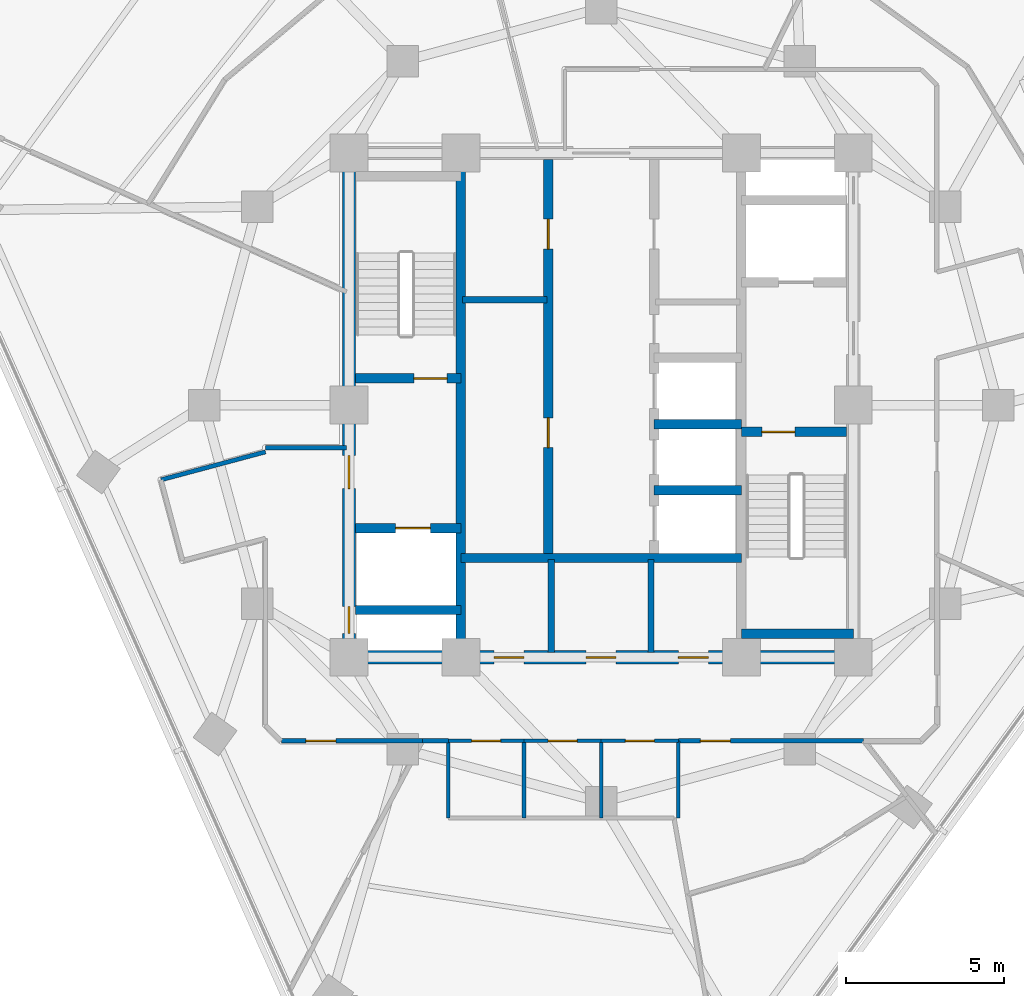
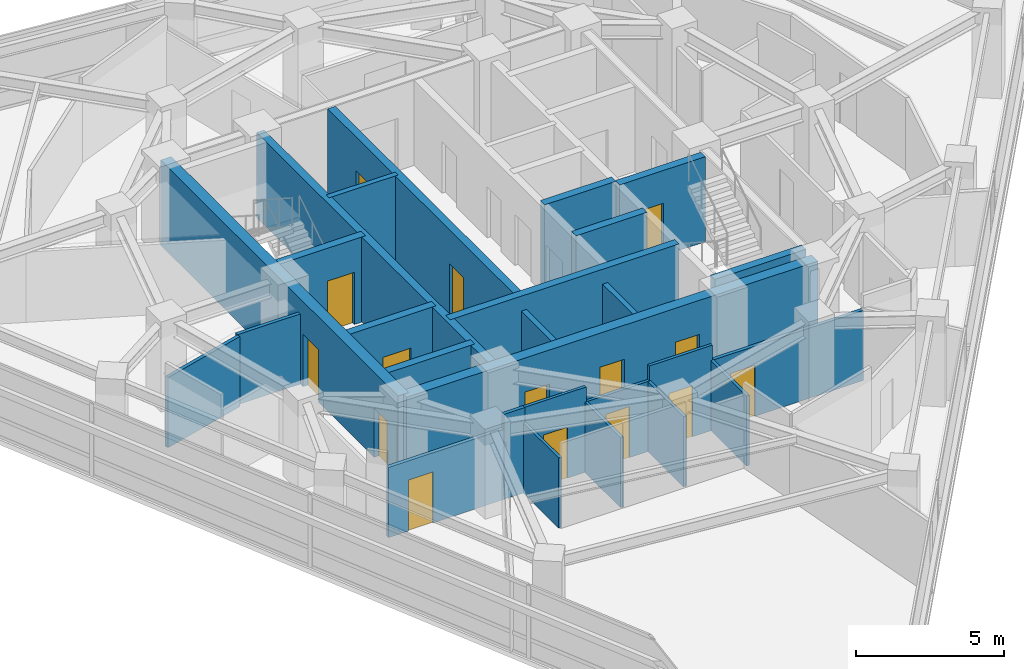
# One storey, part 8 of 15: 27 walls, 15 doors, 15 openings.
"""IFC4 building model written with IfcOpenShell, lengths in metres."""

from ifc_helpers import new_model, si_unit, direction, frame, frame_2d, origin, place, context, subcontext, project, spatial, rectangle, extrude, material, layer, layer_set, type_object, element, fill, save


model = new_model("IFC4")

# Units and contexts
model_context = context("Model", 3, precision=1e-05, world=origin(), true_north=direction((0.0, 1.0)))
body_context = subcontext(model_context, "Body", "Model", "MODEL_VIEW")
ifc_project = project(units=[si_unit("LENGTHUNIT", "METRE"), si_unit("AREAUNIT", "SQUARE_METRE"), si_unit("VOLUMEUNIT", "CUBIC_METRE"), si_unit("PLANEANGLEUNIT", "RADIAN"), si_unit("MASSUNIT", "GRAM", prefix="KILO")], contexts=[model_context])

# Site, building, storey
site_placement = place(None, origin())
site = spatial("IfcSite", under=ifc_project, at=site_placement, CompositionType="ELEMENT")
building_placement = place(site_placement, origin())
building = spatial("IfcBuilding", under=site, at=building_placement, Name="Terralouvre Media Tower", CompositionType="ELEMENT")
storey_placement = place(building_placement, frame((0.0, 0.0, 233.699951171875)))
storey = spatial("IfcBuildingStorey", under=building, at=storey_placement, Name="L60", CompositionType="ELEMENT", Elevation=233.699951171875)

# Wall
ifc_material_1 = material(Name="Concrete C50/60", Category="concrete")
ifc_layer_1 = layer(ifc_material_1, 0.300048828125, Name="Core Internal Shaft Wall CW-300")
ifc_layer_set_1 = layer_set([ifc_layer_1], Name="Concrete C50/60")
wall_type_1 = type_object("IfcWallType", Name="Core Internal Shaft Wall CW-300", PredefinedType="SHEAR", material=ifc_layer_set_1)
wall_1_placement = place(storey_placement, frame((-4.449951171875, -7.7900390625, 0.0), z_axis=(0.0, 0.0, 1.0), x_axis=(0.0, 1.0, 0.0)))
element("IfcWall", 1, at=wall_1_placement, inside=storey, type_object=wall_type_1, Name="L60 Core Shaft Wall SPW", PredefinedType="SHEAR", context=body_context, shape_type="SweptSolid", body=[
    extrude(rectangle(XDim=15.580078125, YDim=0.300048828125, at=frame_2d((7.7900390625, 0.0))), origin(), (0.0, 0.0, 1.0), 3.5),
])

# Wall, opening, door
wall_2_placement = place(storey_placement, frame((-7.7900390625, 0.85009765625, 0.0), z_axis=(0.0, 0.0, 1.0), x_axis=(1.0, 0.0, 0.0)))
wall_2 = element("IfcWall", 2, at=wall_2_placement, inside=storey, type_object=wall_type_1, Name="L60 Core Shaft Wall ST1D", PredefinedType="SHEAR", context=body_context, shape_type="SweptSolid", body=[
    extrude(rectangle(XDim=3.340087890625, YDim=0.300048828125, at=frame_2d((1.669921875, 0.0))), origin(), (0.0, 0.0, 1.0), 3.5),
])
opening_1_placement = place(wall_2_placement, frame((1.85009765625, 0.0, 0.0)))
opening_1 = element("IfcOpeningElement", 3, at=opening_1_placement, cuts=wall_2, Name="Opening FD-01-105X215", PredefinedType="OPENING", context=body_context, shape_type="SweptSolid", body=[
    extrude(rectangle(XDim=1.050048828125, YDim=2.14990234375, at=frame_2d((0.52490234375, 1.074951171875))), frame((0.0, 0.159912109375, 0.0), z_axis=(0.0, -1.0, 0.0), x_axis=(1.0, 0.0, 0.0)), (0.0, 0.0, 1.0), 0.320068359375),
])
ifc_material_2 = material(Name="Galvanised steel fire-resisting leaf", Category="steel")
door_type_1 = type_object("IfcDoorType", Name="Stair and Firefighting Lobby Fire Door FD-01 (1050x2150)", OperationType="NOTDEFINED", PredefinedType="DOOR", material=ifc_material_2)
door_1_placement = place(opening_1_placement, origin())
door_1 = element("IfcDoor", 4, at=door_1_placement, inside=storey, type_object=door_type_1, Name="L60 ST-01 Exit Stair Door", OperationType="SINGLE_SWING_LEFT", OverallHeight=2.14990234375, OverallWidth=1.050048828125, PredefinedType="DOOR", context=body_context, shape_type="SweptSolid", body=[
    extrude(rectangle(XDim=1.050048828125, YDim=2.14990234375, at=frame_2d((0.52490234375, 1.074951171875))), frame((0.0, 0.02490234375, 0.0), z_axis=(0.0, -1.0, 0.0), x_axis=(1.0, 0.0, 0.0)), (0.0, 0.0, 1.0), 0.050048828125),
])
fill(opening_1, door_1)

wall_3_placement = place(storey_placement, frame((4.449951171875, -0.85009765625, 0.0), z_axis=(0.0, 0.0, 1.0), x_axis=(1.0, 0.0, 0.0)))
wall_3 = element("IfcWall", 5, at=wall_3_placement, inside=storey, type_object=wall_type_1, Name="L60 Core Shaft Wall ST2D", PredefinedType="SHEAR", context=body_context, shape_type="SweptSolid", body=[
    extrude(rectangle(XDim=3.340087890625, YDim=0.300048828125, at=frame_2d((1.669921875, 0.0))), origin(), (0.0, 0.0, 1.0), 3.5),
])
opening_2_placement = place(wall_3_placement, frame((0.64990234375, 0.0, 0.0)))
opening_2 = element("IfcOpeningElement", 6, at=opening_2_placement, cuts=wall_3, Name="Opening FD-01-105X215", PredefinedType="OPENING", context=body_context, shape_type="SweptSolid", body=[
    extrude(rectangle(XDim=1.050048828125, YDim=2.14990234375, at=frame_2d((0.52490234375, 1.074951171875))), frame((0.0, 0.159912109375, 0.0), z_axis=(0.0, -1.0, 0.0), x_axis=(1.0, 0.0, 0.0)), (0.0, 0.0, 1.0), 0.320068359375),
])
door_2_placement = place(opening_2_placement, origin())
door_2 = element("IfcDoor", 7, at=door_2_placement, inside=storey, type_object=door_type_1, Name="L60 ST-02 Exit Stair Door", OperationType="SINGLE_SWING_RIGHT", OverallHeight=2.14990234375, OverallWidth=1.050048828125, PredefinedType="DOOR", context=body_context, shape_type="SweptSolid", body=[
    extrude(rectangle(XDim=1.050048828125, YDim=2.14990234375, at=frame_2d((0.52490234375, 1.074951171875))), frame((0.0, 0.02490234375, 0.0), z_axis=(0.0, -1.0, 0.0), x_axis=(1.0, 0.0, 0.0)), (0.0, 0.0, 1.0), 0.050048828125),
])
fill(opening_2, door_2)

# Wall
wall_4_placement = place(storey_placement, frame((4.449951171875, -7.260009765625, 0.0), z_axis=(0.0, 0.0, 1.0), x_axis=(1.0, 0.0, 0.0)))
element("IfcWall", 8, at=wall_4_placement, inside=storey, type_object=wall_type_1, Name="L60 Core Shaft Wall ST2F", PredefinedType="SHEAR", context=body_context, shape_type="SweptSolid", body=[
    extrude(rectangle(XDim=3.550048828125, YDim=0.300048828125, at=frame_2d((1.77490234375, 0.0))), origin(), (0.0, 0.0, 1.0), 3.5),
])

# Wall, opening, door
wall_5_placement = place(storey_placement, frame((-7.7900390625, -3.89990234375, 0.0), z_axis=(0.0, 0.0, 1.0), x_axis=(1.0, 0.0, 0.0)))
wall_5 = element("IfcWall", 9, at=wall_5_placement, inside=storey, type_object=wall_type_1, Name="L60 Core Shaft Wall FF1N", PredefinedType="SHEAR", context=body_context, shape_type="SweptSolid", body=[
    extrude(rectangle(XDim=3.340087890625, YDim=0.300048828125, at=frame_2d((1.669921875, 0.0))), origin(), (0.0, 0.0, 1.0), 3.5),
])
opening_3_placement = place(wall_5_placement, frame((1.27001953125, 0.0, 0.0)))
opening_3 = element("IfcOpeningElement", 10, at=opening_3_placement, cuts=wall_5, Name="Opening LD-FF", PredefinedType="OPENING", context=body_context, shape_type="SweptSolid", body=[
    extrude(rectangle(XDim=1.10009765625, YDim=2.10009765625, at=frame_2d((0.550048828125, 1.050048828125))), frame((0.0, 0.159912109375, 0.0), z_axis=(0.0, -1.0, 0.0), x_axis=(1.0, 0.0, 0.0)), (0.0, 0.0, 1.0), 0.320068359375),
])
ifc_material_3 = material(Name="Stainless steel 316 handrail and balustrade", Category="steel")
door_type_2 = type_object("IfcDoorType", Name="Firefighting Lift Sliding Landing Door LD-FF", OperationType="SLIDING_TO_LEFT", PredefinedType="DOOR", material=ifc_material_3)
door_3_placement = place(opening_3_placement, origin())
door_3 = element("IfcDoor", 11, at=door_3_placement, inside=storey, type_object=door_type_2, Name="L60 Firefighting Lift FFL-01 Landing Door", OperationType="SLIDING_TO_LEFT", OverallHeight=2.10009765625, OverallWidth=1.10009765625, PredefinedType="DOOR", context=body_context, shape_type="SweptSolid", body=[
    extrude(rectangle(XDim=1.10009765625, YDim=2.10009765625, at=frame_2d((0.550048828125, 1.050048828125))), frame((0.0, 0.02490234375, 0.0), z_axis=(0.0, -1.0, 0.0), x_axis=(1.0, 0.0, 0.0)), (0.0, 0.0, 1.0), 0.050048828125),
])
fill(opening_3, door_3)

# Walls
wall_6_placement = place(storey_placement, frame((-7.7900390625, -6.5, 0.0), z_axis=(0.0, 0.0, 1.0), x_axis=(1.0, 0.0, 0.0)))
element("IfcWall", 12, at=wall_6_placement, inside=storey, type_object=wall_type_1, Name="L60 Core Shaft Wall FF1S", PredefinedType="SHEAR", context=body_context, shape_type="SweptSolid", body=[
    extrude(rectangle(XDim=3.340087890625, YDim=0.300048828125, at=frame_2d((1.669921875, 0.0))), origin(), (0.0, 0.0, 1.0), 3.5),
])
wall_7_placement = place(storey_placement, frame((-4.449951171875, -4.85009765625, 0.0), z_axis=(0.0, 0.0, 1.0), x_axis=(1.0, 0.0, 0.0)))
element("IfcWall", 13, at=wall_7_placement, inside=storey, type_object=wall_type_1, Name="L60 Core Shaft Wall CSBN", PredefinedType="SHEAR", context=body_context, shape_type="SweptSolid", body=[
    extrude(rectangle(XDim=8.89990234375, YDim=0.300048828125, at=frame_2d((4.449951171875, 0.0))), origin(), (0.0, 0.0, 1.0), 3.5),
])

# Wall, openings, doors
wall_8_placement = place(storey_placement, frame((-1.679931640625, -4.85009765625, 0.0), z_axis=(0.0, 0.0, 1.0), x_axis=(0.0, 1.0, 0.0)))
wall_8 = element("IfcWall", 14, at=wall_8_placement, inside=storey, type_object=wall_type_1, Name="L60 Core Shaft Wall LBW", PredefinedType="SHEAR", context=body_context, shape_type="SweptSolid", body=[
    extrude(rectangle(XDim=12.64013671875, YDim=0.300048828125, at=frame_2d((6.320068359375, 0.0))), origin(), (0.0, 0.0, 1.0), 3.5),
])
opening_4_placement = place(wall_8_placement, frame((3.5, 0.0, 0.0)))
opening_4 = element("IfcOpeningElement", 15, at=opening_4_placement, cuts=wall_8, Name="Opening FD-04-95X210", PredefinedType="OPENING", context=body_context, shape_type="SweptSolid", body=[
    extrude(rectangle(XDim=0.949951171875, YDim=2.10009765625, at=frame_2d((0.47509765625, 1.050048828125))), frame((0.0, 0.159912109375, 0.0), z_axis=(0.0, -1.0, 0.0), x_axis=(1.0, 0.0, 0.0)), (0.0, 0.0, 1.0), 0.320068359375),
])
opening_5_placement = place(wall_8_placement, frame((9.800048828125, 0.0, 0.0)))
opening_5 = element("IfcOpeningElement", 16, at=opening_5_placement, cuts=wall_8, Name="Opening FD-02-95X210", PredefinedType="OPENING", context=body_context, shape_type="SweptSolid", body=[
    extrude(rectangle(XDim=0.949951171875, YDim=2.10009765625, at=frame_2d((0.47509765625, 1.050048828125))), frame((0.0, 0.159912109375, 0.0), z_axis=(0.0, -1.0, 0.0), x_axis=(1.0, 0.0, 0.0)), (0.0, 0.0, 1.0), 0.320068359375),
])
ifc_material_4 = material(Name="Galvanised steel fire-resisting leaf", Category="steel")
door_type_3 = type_object("IfcDoorType", Name="Core Store and Service Fire Door FD-04 (950x2100)", OperationType="NOTDEFINED", PredefinedType="DOOR", material=ifc_material_4)
door_4_placement = place(opening_4_placement, origin())
door_4 = element("IfcDoor", 17, at=door_4_placement, inside=storey, type_object=door_type_3, Name="L60 Core Archive Store Door", OperationType="SINGLE_SWING_LEFT", OverallHeight=2.10009765625, OverallWidth=0.949951171875, PredefinedType="DOOR", context=body_context, shape_type="SweptSolid", body=[
    extrude(rectangle(XDim=0.949951171875, YDim=2.10009765625, at=frame_2d((0.47509765625, 1.050048828125))), frame((0.0, 0.02490234375, 0.0), z_axis=(0.0, -1.0, 0.0), x_axis=(1.0, 0.0, 0.0)), (0.0, 0.0, 1.0), 0.050048828125),
])
fill(opening_4, door_4)
ifc_material_5 = material(Name="Galvanised steel fire-resisting leaf", Category="steel")
door_type_4 = type_object("IfcDoorType", Name="Plant and Riser Fire Door FD-02 (950x2100)", OperationType="NOTDEFINED", PredefinedType="DOOR", material=ifc_material_5)
door_5_placement = place(opening_5_placement, origin())
door_5 = element("IfcDoor", 18, at=door_5_placement, inside=storey, type_object=door_type_4, Name="L60 Core AV Repeater Plant Door", OperationType="SINGLE_SWING_RIGHT", OverallHeight=2.10009765625, OverallWidth=0.949951171875, PredefinedType="DOOR", context=body_context, shape_type="SweptSolid", body=[
    extrude(rectangle(XDim=0.949951171875, YDim=2.10009765625, at=frame_2d((0.47509765625, 1.050048828125))), frame((0.0, 0.02490234375, 0.0), z_axis=(0.0, -1.0, 0.0), x_axis=(1.0, 0.0, 0.0)), (0.0, 0.0, 1.0), 0.050048828125),
])
fill(opening_5, door_5)

# Walls
for number, where, z_axis, x_axis, name in (
    (19, (1.679931640625, -2.699951171875, 0.0), (0.0, 0.0, 1.0), (1.0, 0.0, 0.0), "L60 Core Shaft Wall PLHD1"),
    (20, (1.679931640625, -0.60009765625, 0.0), (0.0, 0.0, 1.0), (1.0, 0.0, 0.0), "L60 Core Shaft Wall PLHD2"),
):
    element("IfcWall", number, at=place(storey_placement, frame(where, z_axis=z_axis, x_axis=x_axis)), inside=storey, type_object=wall_type_1, Name=name, PredefinedType="SHEAR", context=body_context, shape_type="SweptSolid", body=[
        extrude(rectangle(XDim=2.77001953125, YDim=0.300048828125, at=frame_2d((1.385009765625, 0.0))), origin(), (0.0, 0.0, 1.0), 3.5),
    ])

# Wall, openings, doors
ifc_material_6 = material(Name="Concrete C60/75", Category="concrete")
ifc_layer_2 = layer(ifc_material_6, 0.419921875, Name="Core Reinforced Concrete Shear Wall CW-420")
ifc_layer_set_2 = layer_set([ifc_layer_2], Name="Concrete C60/75")
wall_type_2 = type_object("IfcWallType", Name="Core Reinforced Concrete Shear Wall CW-420", PredefinedType="SHEAR", material=ifc_layer_set_2)
wall_9_placement = place(storey_placement, frame((-8.0, -8.0, 0.0), z_axis=(0.0, 0.0, 1.0), x_axis=(0.0, 1.0, 0.0)))
wall_9 = element("IfcWall", 21, at=wall_9_placement, inside=storey, type_object=wall_type_2, Name="L60 W Core Shear Wall", PredefinedType="SHEAR", context=body_context, shape_type="SweptSolid", body=[
    extrude(rectangle(XDim=16.0, YDim=0.419921875, at=frame_2d((8.0, 0.0))), origin(), (0.0, 0.0, 1.0), 3.5),
])
opening_6_placement = place(wall_9_placement, frame((0.76123046875, 0.0, 0.0)))
opening_6 = element("IfcOpeningElement", 22, at=opening_6_placement, cuts=wall_9, Name="Opening TD-R1", PredefinedType="OPENING", context=body_context, shape_type="SweptSolid", body=[
    extrude(rectangle(XDim=0.85009765625, YDim=2.02001953125, at=frame_2d((0.425048828125, 1.010009765625))), frame((0.0, 0.219970703125, 0.0), z_axis=(0.0, -1.0, 0.0), x_axis=(1.0, 0.0, 0.0)), (0.0, 0.0, 1.0), 0.43994140625),
])
opening_7_placement = place(wall_9_placement, frame((5.35009765625, 0.0, 0.0)))
opening_7 = element("IfcOpeningElement", 23, at=opening_7_placement, cuts=wall_9, Name="Opening FD-01-105X215", PredefinedType="OPENING", context=body_context, shape_type="SweptSolid", body=[
    extrude(rectangle(XDim=1.050048828125, YDim=2.14990234375, at=frame_2d((0.52490234375, 1.074951171875))), frame((0.0, 0.219970703125, 0.0), z_axis=(0.0, -1.0, 0.0), x_axis=(1.0, 0.0, 0.0)), (0.0, 0.0, 1.0), 0.43994140625),
])
ifc_material_7 = material(Name="Galvanised steel fire-resisting leaf", Category="steel")
door_type_5 = type_object("IfcDoorType", Name="Riser Inspection Access Trapdoor TD-R1", OperationType="NOTDEFINED", PredefinedType="TRAPDOOR", material=ifc_material_7)
door_6_placement = place(opening_6_placement, origin())
door_6 = element("IfcDoor", 24, at=door_6_placement, inside=storey, type_object=door_type_5, Name="L60 Wet Riser Access Trapdoor", OperationType="SINGLE_SWING_LEFT", OverallHeight=2.02001953125, OverallWidth=0.85009765625, PredefinedType="TRAPDOOR", context=body_context, shape_type="SweptSolid", body=[
    extrude(rectangle(XDim=0.85009765625, YDim=2.02001953125, at=frame_2d((0.425048828125, 1.010009765625))), frame((0.0, 0.02490234375, 0.0), z_axis=(0.0, -1.0, 0.0), x_axis=(1.0, 0.0, 0.0)), (0.0, 0.0, 1.0), 0.050048828125),
])
fill(opening_6, door_6)
door_7_placement = place(opening_7_placement, origin())
door_7 = element("IfcDoor", 25, at=door_7_placement, inside=storey, type_object=door_type_1, Name="L60 West Firefighting Lobby Entry Door", OperationType="SINGLE_SWING_RIGHT", OverallHeight=2.14990234375, OverallWidth=1.050048828125, PredefinedType="DOOR", context=body_context, shape_type="SweptSolid", body=[
    extrude(rectangle(XDim=1.050048828125, YDim=2.14990234375, at=frame_2d((0.52490234375, 1.074951171875))), frame((0.0, 0.02490234375, 0.0), z_axis=(0.0, -1.0, 0.0), x_axis=(1.0, 0.0, 0.0)), (0.0, 0.0, 1.0), 0.050048828125),
])
fill(opening_7, door_7)

wall_10_placement = place(storey_placement, frame((-8.0, -8.0, 0.0), z_axis=(0.0, 0.0, 1.0), x_axis=(1.0, 0.0, 0.0)))
wall_10 = element("IfcWall", 26, at=wall_10_placement, inside=storey, type_object=wall_type_2, Name="L60 S Core Shear Wall", PredefinedType="SHEAR", context=body_context, shape_type="SweptSolid", body=[
    extrude(rectangle(XDim=16.0, YDim=0.419921875, at=frame_2d((8.0, 0.0))), origin(), (0.0, 0.0, 1.0), 3.5),
])
opening_8_placement = place(wall_10_placement, frame((4.60009765625, 0.0, 0.0)))
opening_8 = element("IfcOpeningElement", 27, at=opening_8_placement, cuts=wall_10, Name="Opening FD-02-95X210", PredefinedType="OPENING", context=body_context, shape_type="SweptSolid", body=[
    extrude(rectangle(XDim=0.949951171875, YDim=2.10009765625, at=frame_2d((0.47509765625, 1.050048828125))), frame((0.0, 0.219970703125, 0.0), z_axis=(0.0, -1.0, 0.0), x_axis=(1.0, 0.0, 0.0)), (0.0, 0.0, 1.0), 0.43994140625),
])
opening_9_placement = place(wall_10_placement, frame((7.52001953125, 0.0, 0.0)))
opening_9 = element("IfcOpeningElement", 28, at=opening_9_placement, cuts=wall_10, Name="Opening FD-02-95X210", PredefinedType="OPENING", context=body_context, shape_type="SweptSolid", body=[
    extrude(rectangle(XDim=0.949951171875, YDim=2.10009765625, at=frame_2d((0.47509765625, 1.050048828125))), frame((0.0, 0.219970703125, 0.0), z_axis=(0.0, -1.0, 0.0), x_axis=(1.0, 0.0, 0.0)), (0.0, 0.0, 1.0), 0.43994140625),
])
opening_10_placement = place(wall_10_placement, frame((10.449951171875, 0.0, 0.0)))
opening_10 = element("IfcOpeningElement", 29, at=opening_10_placement, cuts=wall_10, Name="Opening FD-02-95X210", PredefinedType="OPENING", context=body_context, shape_type="SweptSolid", body=[
    extrude(rectangle(XDim=0.949951171875, YDim=2.10009765625, at=frame_2d((0.47509765625, 1.050048828125))), frame((0.0, 0.219970703125, 0.0), z_axis=(0.0, -1.0, 0.0), x_axis=(1.0, 0.0, 0.0)), (0.0, 0.0, 1.0), 0.43994140625),
])
door_8_placement = place(opening_8_placement, origin())
door_8 = element("IfcDoor", 30, at=door_8_placement, inside=storey, type_object=door_type_4, Name="L60 Core Janitor Store Door", OperationType="SINGLE_SWING_LEFT", OverallHeight=2.10009765625, OverallWidth=0.949951171875, PredefinedType="DOOR", context=body_context, shape_type="SweptSolid", body=[
    extrude(rectangle(XDim=0.949951171875, YDim=2.10009765625, at=frame_2d((0.47509765625, 1.050048828125))), frame((0.0, 0.02490234375, 0.0), z_axis=(0.0, -1.0, 0.0), x_axis=(1.0, 0.0, 0.0)), (0.0, 0.0, 1.0), 0.050048828125),
])
fill(opening_8, door_8)
door_9_placement = place(opening_9_placement, origin())
door_9 = element("IfcDoor", 31, at=door_9_placement, inside=storey, type_object=door_type_4, Name="L60 Core Linen Store Door", OperationType="SINGLE_SWING_RIGHT", OverallHeight=2.10009765625, OverallWidth=0.949951171875, PredefinedType="DOOR", context=body_context, shape_type="SweptSolid", body=[
    extrude(rectangle(XDim=0.949951171875, YDim=2.10009765625, at=frame_2d((0.47509765625, 1.050048828125))), frame((0.0, 0.02490234375, 0.0), z_axis=(0.0, -1.0, 0.0), x_axis=(1.0, 0.0, 0.0)), (0.0, 0.0, 1.0), 0.050048828125),
])
fill(opening_9, door_9)
door_10_placement = place(opening_10_placement, origin())
door_10 = element("IfcDoor", 32, at=door_10_placement, inside=storey, type_object=door_type_4, Name="L60 Core Metering Plant Door", OperationType="SINGLE_SWING_LEFT", OverallHeight=2.10009765625, OverallWidth=0.949951171875, PredefinedType="DOOR", context=body_context, shape_type="SweptSolid", body=[
    extrude(rectangle(XDim=0.949951171875, YDim=2.10009765625, at=frame_2d((0.47509765625, 1.050048828125))), frame((0.0, 0.02490234375, 0.0), z_axis=(0.0, -1.0, 0.0), x_axis=(1.0, 0.0, 0.0)), (0.0, 0.0, 1.0), 0.050048828125),
])
fill(opening_10, door_10)

# Walls
ifc_material_8 = material(Name="Fire-rated gypsum board drywall partition")
ifc_layer_3 = layer(ifc_material_8, 0.199951171875, Name="Fire-Rated Shaft and Lobby Partition FW-200")
ifc_layer_set_3 = layer_set([ifc_layer_3], Name="Fire-rated gypsum board drywall partition")
wall_type_3 = type_object("IfcWallType", Name="Fire-Rated Shaft and Lobby Partition FW-200", PredefinedType="SOLIDWALL", material=ifc_layer_set_3)
for number, where, z_axis, x_axis, name in (
    (33, (-1.580078125, -7.85009765625, 0.0), (0.0, 0.0, 1.0), (0.0, 1.0, 0.0), "L60 Core Service Bay Partition 1"),
    (34, (1.580078125, -7.85009765625, 0.0), (0.0, 0.0, 1.0), (0.0, 1.0, 0.0), "L60 Core Service Bay Partition 2"),
):
    element("IfcWall", number, at=place(storey_placement, frame(where, z_axis=z_axis, x_axis=x_axis)), inside=storey, type_object=wall_type_3, Name=name, PredefinedType="SOLIDWALL", context=body_context, shape_type="SweptSolid", body=[
        extrude(rectangle(XDim=2.9501953125, YDim=0.199951171875, at=frame_2d((1.47509765625, 0.0))), origin(), (0.0, 0.0, 1.0), 2.885009765625),
    ])
wall_11_placement = place(storey_placement, frame((-4.39990234375, 3.340087890625, 0.0), z_axis=(0.0, 0.0, 1.0), x_axis=(1.0, 0.0, 0.0)))
element("IfcWall", 35, at=wall_11_placement, inside=storey, type_object=wall_type_3, Name="L60 Core West Sub-Partition 1", PredefinedType="SOLIDWALL", context=body_context, shape_type="SweptSolid", body=[
    extrude(rectangle(XDim=2.679931640625, YDim=0.199951171875, at=frame_2d((1.33984375, 0.0))), origin(), (0.0, 0.0, 1.0), 3.5),
])
ifc_material_9 = material(Name="Fire-rated gypsum board drywall partition")
ifc_layer_4 = layer(ifc_material_9, 0.135009765625, Name="Newsroom Acoustic Partition PT-135")
ifc_layer_set_4 = layer_set([ifc_layer_4], Name="Fire-rated gypsum board drywall partition")
wall_type_4 = type_object("IfcWallType", Name="Newsroom Acoustic Partition PT-135", PredefinedType="PARTITIONING", material=ifc_layer_set_4)
wall_12_placement = place(storey_placement, frame((-8.080078125, -1.35009765625, 0.0), z_axis=(0.0, 0.0, 1.0), x_axis=(-1.0, 0.0, 0.0)))
element("IfcWall", 36, at=wall_12_placement, inside=storey, type_object=wall_type_4, Name="L60 Interior Partition 001", PredefinedType="PARTITIONING", context=body_context, shape_type="SweptSolid", body=[
    extrude(rectangle(XDim=2.56982421875, YDim=0.135009765625, at=frame_2d((1.284912109375, 0.0))), origin(), (0.0, 0.0, 1.0), 2.885009765625),
])
wall_13_placement = place(storey_placement, frame((-10.64990234375, -1.48193359375, 0.0), z_axis=(0.0, 0.0, 1.0), x_axis=(-0.965961397105, -0.2586862565, 0.0)))
element("IfcWall", 37, at=wall_13_placement, inside=storey, type_object=wall_type_4, Name="L60 Interior Partition 002", PredefinedType="PARTITIONING", context=body_context, shape_type="SweptSolid", body=[
    extrude(rectangle(XDim=3.4287109375, YDim=0.135009765625, at=frame_2d((1.71435546875, 0.0))), origin(), (0.0, 0.0, 1.0), 2.885009765625),
])

# Wall, opening, door
wall_14_placement = place(storey_placement, frame((-10.14990234375, -10.64990234375, 0.0), z_axis=(0.0, 0.0, 1.0), x_axis=(1.0, 0.0, 0.0)))
wall_14 = element("IfcWall", 38, at=wall_14_placement, inside=storey, type_object=wall_type_4, Name="L60 Interior Partition 007", PredefinedType="PARTITIONING", context=body_context, shape_type="SweptSolid", body=[
    extrude(rectangle(XDim=4.48681640625, YDim=0.135009765625, at=frame_2d((2.243408203125, 0.0))), origin(), (0.0, 0.0, 1.0), 2.885009765625),
])
opening_11_placement = place(wall_14_placement, frame((0.781494140625, 0.0, 0.0)))
opening_11 = element("IfcOpeningElement", 39, at=opening_11_placement, cuts=wall_14, Name="Opening ID-02-95X210", PredefinedType="OPENING", context=body_context, shape_type="SweptSolid", body=[
    extrude(rectangle(XDim=0.949951171875, YDim=2.10009765625, at=frame_2d((0.47509765625, 1.050048828125))), frame((0.0, 0.077392578125, 0.0), z_axis=(0.0, -1.0, 0.0), x_axis=(1.0, 0.0, 0.0)), (0.0, 0.0, 1.0), 0.155029296875),
])
ifc_material_10 = material(Name="Engineered hardwood acoustic timber leaf", Category="wood")
door_type_6 = type_object("IfcDoorType", Name="Office and Meeting Room Door ID-02 (950x2100)", OperationType="NOTDEFINED", PredefinedType="DOOR", material=ifc_material_10)
door_11_placement = place(opening_11_placement, origin())
door_11 = element("IfcDoor", 40, at=door_11_placement, inside=storey, type_object=door_type_6, Name="L60 Journalist Quiet Study 1 Door", OperationType="SINGLE_SWING_RIGHT", OverallHeight=2.10009765625, OverallWidth=0.949951171875, PredefinedType="DOOR", context=body_context, shape_type="SweptSolid", body=[
    extrude(rectangle(XDim=0.949951171875, YDim=2.10009765625, at=frame_2d((0.47509765625, 1.050048828125))), frame((0.0, 0.02490234375, 0.0), z_axis=(0.0, -1.0, 0.0), x_axis=(1.0, 0.0, 0.0)), (0.0, 0.0, 1.0), 0.050048828125),
])
fill(opening_11, door_11)

# Wall
wall_15_placement = place(storey_placement, frame((-5.6630859375, -10.64990234375, 0.0), z_axis=(0.0, 0.0, 1.0), x_axis=(1.0, 0.0, 0.0)))
element("IfcWall", 41, at=wall_15_placement, inside=storey, type_object=wall_type_4, Name="L60 Interior Partition 016", PredefinedType="PARTITIONING", context=body_context, shape_type="SweptSolid", body=[
    extrude(rectangle(XDim=0.81298828125, YDim=0.135009765625, at=frame_2d((0.406494140625, 0.0))), origin(), (0.0, 0.0, 1.0), 3.5),
])

# Wall, opening, door
wall_16_placement = place(storey_placement, frame((2.449951171875, -10.64990234375, 0.0), z_axis=(0.0, 0.0, 1.0), x_axis=(1.0, 0.0, 0.0)))
wall_16 = element("IfcWall", 42, at=wall_16_placement, inside=storey, type_object=wall_type_4, Name="L60 Interior Partition 019", PredefinedType="PARTITIONING", context=body_context, shape_type="SweptSolid", body=[
    extrude(rectangle(XDim=5.87109375, YDim=0.135009765625, at=frame_2d((2.935546875, 0.0))), origin(), (0.0, 0.0, 1.0), 2.885009765625),
])
opening_12_placement = place(wall_16_placement, frame((0.69921875, 0.0, 0.0)))
opening_12 = element("IfcOpeningElement", 43, at=opening_12_placement, cuts=wall_16, Name="Opening ID-02-95X210", PredefinedType="OPENING", context=body_context, shape_type="SweptSolid", body=[
    extrude(rectangle(XDim=0.949951171875, YDim=2.10009765625, at=frame_2d((0.47509765625, 1.050048828125))), frame((0.0, 0.077392578125, 0.0), z_axis=(0.0, -1.0, 0.0), x_axis=(1.0, 0.0, 0.0)), (0.0, 0.0, 1.0), 0.155029296875),
])
door_12_placement = place(opening_12_placement, origin())
door_12 = element("IfcDoor", 44, at=door_12_placement, inside=storey, type_object=door_type_6, Name="L60 FOIA Research Workspace 5 Door", OperationType="SINGLE_SWING_LEFT", OverallHeight=2.10009765625, OverallWidth=0.949951171875, PredefinedType="DOOR", context=body_context, shape_type="SweptSolid", body=[
    extrude(rectangle(XDim=0.949951171875, YDim=2.10009765625, at=frame_2d((0.47509765625, 1.050048828125))), frame((0.0, 0.02490234375, 0.0), z_axis=(0.0, -1.0, 0.0), x_axis=(1.0, 0.0, 0.0)), (0.0, 0.0, 1.0), 0.050048828125),
])
fill(opening_12, door_12)

ifc_material_11 = material(Name="Fire-rated gypsum board drywall partition")
ifc_layer_5 = layer(ifc_material_11, 0.114990234375, Name="Restroom and Pantry Partition PT-115")
ifc_layer_set_5 = layer_set([ifc_layer_5], Name="Fire-rated gypsum board drywall partition")
wall_type_5 = type_object("IfcWallType", Name="Restroom and Pantry Partition PT-115", PredefinedType="PARTITIONING", material=ifc_layer_set_5)
wall_17_placement = place(storey_placement, frame((-4.85009765625, -10.64990234375, 0.0), z_axis=(0.0, 0.0, 1.0), x_axis=(1.0, 0.0, 0.0)))
wall_17 = element("IfcWall", 45, at=wall_17_placement, inside=storey, type_object=wall_type_5, Name="L60 Interior Partition 015", PredefinedType="PARTITIONING", context=body_context, shape_type="SweptSolid", body=[
    extrude(rectangle(XDim=2.400146484375, YDim=0.114990234375, at=frame_2d((1.2001953125, 0.0))), origin(), (0.0, 0.0, 1.0), 3.5),
])
opening_13_placement = place(wall_17_placement, frame((0.739990234375, 0.0, 0.0)))
opening_13 = element("IfcOpeningElement", 46, at=opening_13_placement, cuts=wall_17, Name="Opening ID-03-92X210", PredefinedType="OPENING", context=body_context, shape_type="SweptSolid", body=[
    extrude(rectangle(XDim=0.919921875, YDim=2.10009765625, at=frame_2d((0.4599609375, 1.050048828125))), frame((0.0, 0.0673828125, 0.0), z_axis=(0.0, -1.0, 0.0), x_axis=(1.0, 0.0, 0.0)), (0.0, 0.0, 1.0), 0.135009765625),
])
ifc_material_12 = material(Name="Engineered hardwood acoustic timber leaf", Category="wood")
door_type_7 = type_object("IfcDoorType", Name="Accessible Restroom and Suite Door ID-03 (920x2100)", OperationType="NOTDEFINED", PredefinedType="DOOR", material=ifc_material_12)
door_13_placement = place(opening_13_placement, origin())
door_13 = element("IfcDoor", 47, at=door_13_placement, inside=storey, type_object=door_type_7, Name="L60 Male Restroom WC Door", OperationType="SINGLE_SWING_RIGHT", OverallHeight=2.10009765625, OverallWidth=0.919921875, PredefinedType="DOOR", context=body_context, shape_type="SweptSolid", body=[
    extrude(rectangle(XDim=0.919921875, YDim=2.10009765625, at=frame_2d((0.4599609375, 1.050048828125))), frame((0.0, 0.02490234375, 0.0), z_axis=(0.0, -1.0, 0.0), x_axis=(1.0, 0.0, 0.0)), (0.0, 0.0, 1.0), 0.050048828125),
])
fill(opening_13, door_13)

wall_18_placement = place(storey_placement, frame((-2.449951171875, -10.64990234375, 0.0), z_axis=(0.0, 0.0, 1.0), x_axis=(1.0, 0.0, 0.0)))
wall_18 = element("IfcWall", 48, at=wall_18_placement, inside=storey, type_object=wall_type_5, Name="L60 Interior Partition 017", PredefinedType="PARTITIONING", context=body_context, shape_type="SweptSolid", body=[
    extrude(rectangle(XDim=2.449951171875, YDim=0.114990234375, at=frame_2d((1.22509765625, 0.0))), origin(), (0.0, 0.0, 1.0), 2.885009765625),
])
opening_14_placement = place(wall_18_placement, frame((0.764892578125, 0.0, 0.0)))
opening_14 = element("IfcOpeningElement", 49, at=opening_14_placement, cuts=wall_18, Name="Opening ID-03-92X210", PredefinedType="OPENING", context=body_context, shape_type="SweptSolid", body=[
    extrude(rectangle(XDim=0.919921875, YDim=2.10009765625, at=frame_2d((0.4599609375, 1.050048828125))), frame((0.0, 0.0673828125, 0.0), z_axis=(0.0, -1.0, 0.0), x_axis=(1.0, 0.0, 0.0)), (0.0, 0.0, 1.0), 0.135009765625),
])
door_14_placement = place(opening_14_placement, origin())
door_14 = element("IfcDoor", 50, at=door_14_placement, inside=storey, type_object=door_type_7, Name="L60 Female Restroom WC Door", OperationType="SINGLE_SWING_LEFT", OverallHeight=2.10009765625, OverallWidth=0.919921875, PredefinedType="DOOR", context=body_context, shape_type="SweptSolid", body=[
    extrude(rectangle(XDim=0.919921875, YDim=2.10009765625, at=frame_2d((0.4599609375, 1.050048828125))), frame((0.0, 0.02490234375, 0.0), z_axis=(0.0, -1.0, 0.0), x_axis=(1.0, 0.0, 0.0)), (0.0, 0.0, 1.0), 0.050048828125),
])
fill(opening_14, door_14)

wall_19_placement = place(storey_placement, frame((0.0, -10.64990234375, 0.0), z_axis=(0.0, 0.0, 1.0), x_axis=(1.0, 0.0, 0.0)))
wall_19 = element("IfcWall", 51, at=wall_19_placement, inside=storey, type_object=wall_type_5, Name="L60 Interior Partition 018", PredefinedType="PARTITIONING", context=body_context, shape_type="SweptSolid", body=[
    extrude(rectangle(XDim=2.449951171875, YDim=0.114990234375, at=frame_2d((1.22509765625, 0.0))), origin(), (0.0, 0.0, 1.0), 3.5),
])
opening_15_placement = place(wall_19_placement, frame((0.764892578125, 0.0, 0.0)))
opening_15 = element("IfcOpeningElement", 52, at=opening_15_placement, cuts=wall_19, Name="Opening ID-03-92X210", PredefinedType="OPENING", context=body_context, shape_type="SweptSolid", body=[
    extrude(rectangle(XDim=0.919921875, YDim=2.10009765625, at=frame_2d((0.4599609375, 1.050048828125))), frame((0.0, 0.0673828125, 0.0), z_axis=(0.0, -1.0, 0.0), x_axis=(1.0, 0.0, 0.0)), (0.0, 0.0, 1.0), 0.135009765625),
])
door_15_placement = place(opening_15_placement, origin())
door_15 = element("IfcDoor", 53, at=door_15_placement, inside=storey, type_object=door_type_7, Name="L60 Accessible Unisex WC Door", OperationType="SINGLE_SWING_RIGHT", OverallHeight=2.10009765625, OverallWidth=0.919921875, PredefinedType="DOOR", context=body_context, shape_type="SweptSolid", body=[
    extrude(rectangle(XDim=0.919921875, YDim=2.10009765625, at=frame_2d((0.4599609375, 1.050048828125))), frame((0.0, 0.02490234375, 0.0), z_axis=(0.0, -1.0, 0.0), x_axis=(1.0, 0.0, 0.0)), (0.0, 0.0, 1.0), 0.050048828125),
])
fill(opening_15, door_15)

# Walls
for number, where, z_axis, x_axis, name in (
    (54, (-4.85009765625, -10.64990234375, 0.0), (0.0, 0.0, 1.0), (0.0, -1.0, 0.0), "L60 Interior Partition 034"),
    (55, (-2.449951171875, -13.10009765625, 0.0), (0.0, 0.0, 1.0), (0.0, 1.0, 0.0), "L60 Interior Partition 036"),
    (56, (0.0, -13.10009765625, 0.0), (0.0, 0.0, 1.0), (0.0, 1.0, 0.0), "L60 Interior Partition 041"),
    (57, (2.449951171875, -13.10009765625, 0.0), (0.0, 0.0, 1.0), (0.0, 1.0, 0.0), "L60 Interior Partition 042"),
):
    element("IfcWall", number, at=place(storey_placement, frame(where, z_axis=z_axis, x_axis=x_axis)), inside=storey, type_object=wall_type_5, Name=name, PredefinedType="PARTITIONING", context=body_context, shape_type="SweptSolid", body=[
        extrude(rectangle(XDim=2.4501953125, YDim=0.114990234375, at=frame_2d((1.22509765625, 0.0))), origin(), (0.0, 0.0, 1.0), 2.885009765625),
    ])

save(model, "model.ifc")
